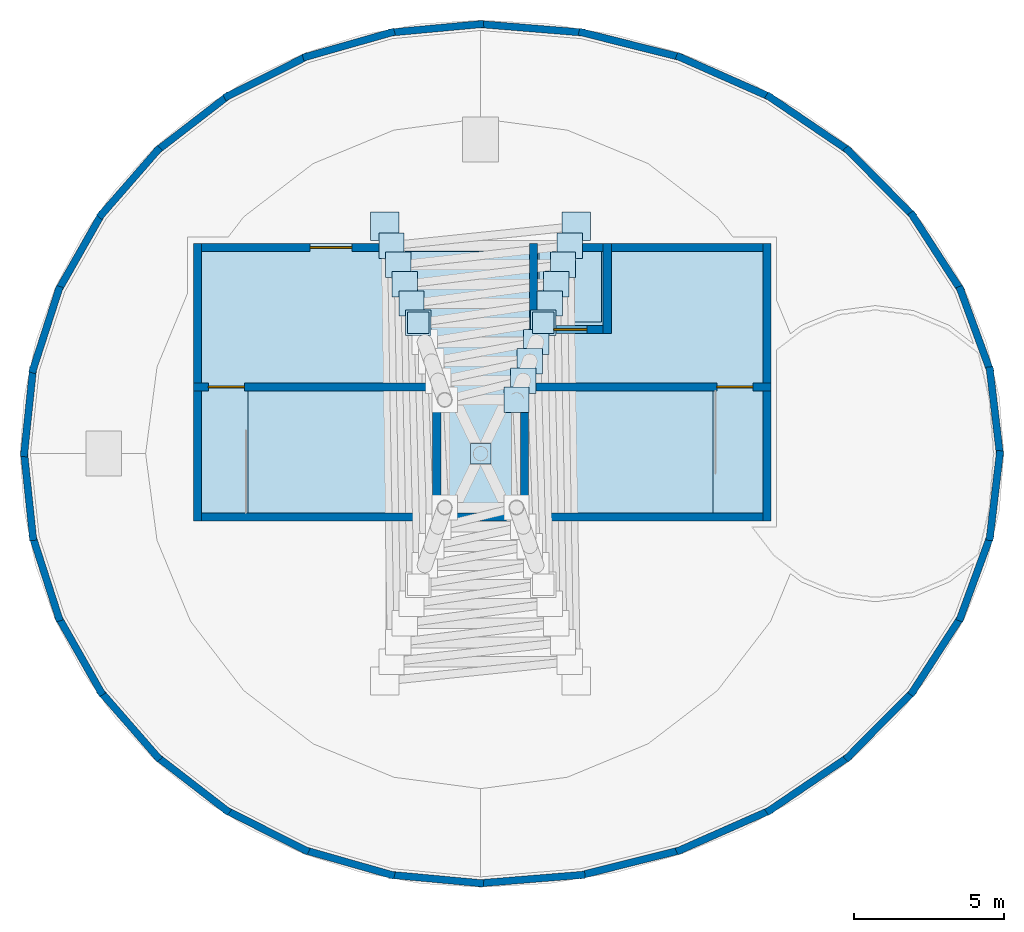
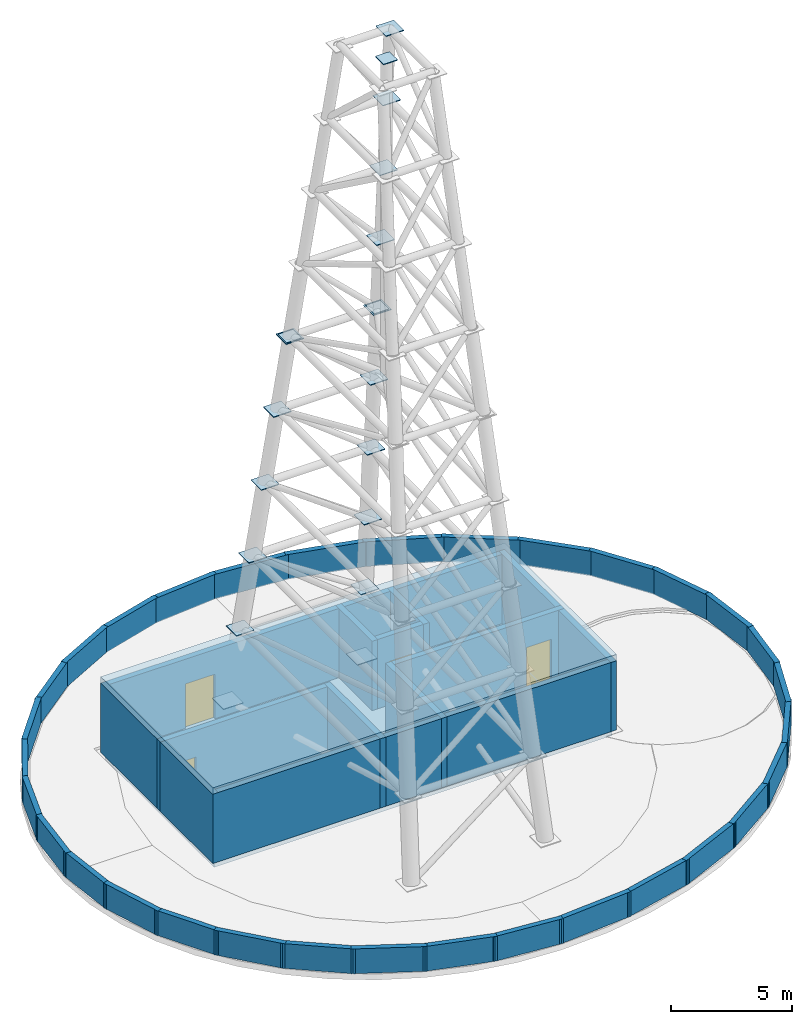
# One storey, part 3 of 4: 43 walls, 19 plates, 4 doors, 2 slabs, 4 openings.
"""IFC4 building model written with IfcOpenShell, lengths in metres."""

from ifc_helpers import new_model, si_unit, direction, frame, frame_2d, origin, origin_2d, place, context, subcontext, project, spatial, polyline, rectangle, outline, extrude, material, layer, layer_set, type_object, element, fill, save


model = new_model("IFC4")

# Units and contexts
model_context = context("Model", 3, precision=1e-05, world=origin(), true_north=direction((0.0, 1.0)))
body_context = subcontext(model_context, "Body", "Model", "MODEL_VIEW")
ifc_project = project(units=[si_unit("LENGTHUNIT", "METRE"), si_unit("AREAUNIT", "SQUARE_METRE"), si_unit("VOLUMEUNIT", "CUBIC_METRE"), si_unit("PLANEANGLEUNIT", "RADIAN"), si_unit("MASSUNIT", "GRAM", prefix="KILO")], contexts=[model_context])

# Site, building, storey
site_placement = place(None, origin())
site = spatial("IfcSite", under=ifc_project, at=site_placement, CompositionType="ELEMENT")
building_placement = place(site_placement, origin())
building = spatial("IfcBuilding", under=site, at=building_placement, Name="Lazwardi Medical Tower", CompositionType="ELEMENT")
storey_placement = place(building_placement, frame((0.0, 0.0, 316.0)))
storey = spatial("IfcBuildingStorey", under=building, at=storey_placement, Name="RF", CompositionType="ELEMENT", Elevation=316.0)

# Plates
ifc_material_1 = material(Name="Steel S460", Category="steel")
ifc_layer_1 = layer(ifc_material_1, 0.0400390625)
ifc_layer_set_1 = layer_set([ifc_layer_1], Name="Steel S460")
plate_type = type_object("IfcPlateType", Name="PLT-GUS-01", PredefinedType="USERDEFINED", material=ifc_layer_set_1)
for number, where, z_axis, x_axis, name in (
    (1, (39.199951171875, 35.60009765625, 0.0), (0.0, 0.0, 1.0), (1.0, 0.0, 0.0), "Broadcast Mast base plate GP-01 L3"),
    (2, (32.800048828125, 35.60009765625, 0.0), (0.0, 0.0, 1.0), (1.0, 0.0, 0.0), "Broadcast Mast base plate GP-01 L4"),
):
    element("IfcPlate", number, at=place(storey_placement, frame(where, z_axis=z_axis, x_axis=x_axis)), inside=storey, type_object=plate_type, Name=name, ObjectType="GUSSET_PLATE", PredefinedType="USERDEFINED", context=body_context, shape_type="SweptSolid", body=[
        extrude(rectangle(XDim=0.949951171875, YDim=0.949951171875, at=origin_2d()), origin(), (0.0, 0.0, 1.0), 0.0400390625),
    ])
for number, where, z_axis, x_axis, name in (
    (3, (38.977783203125, 34.95556640625, 3.97998046875), (0.0, 0.0, 1.0), (1.0, 0.0, 0.0), "Broadcast Mast cap plate GP-01 L3 B1"),
    (4, (33.022216796875, 34.95556640625, 3.97998046875), (0.0, 0.0, 1.0), (1.0, 0.0, 0.0), "Broadcast Mast cap plate GP-01 L4 B1"),
    (5, (38.755615234375, 34.31103515625, 7.97998046875), (0.0, 0.0, 1.0), (1.0, 0.0, 0.0), "Broadcast Mast cap plate GP-01 L3 B2"),
    (6, (33.244384765625, 34.31103515625, 7.97998046875), (0.0, 0.0, 1.0), (1.0, 0.0, 0.0), "Broadcast Mast cap plate GP-01 L4 B2"),
    (7, (38.533203125, 33.666748046875, 11.97998046875), (0.0, 0.0, 1.0), (1.0, 0.0, 0.0), "Broadcast Mast cap plate GP-01 L3 B3"),
    (8, (33.466796875, 33.666748046875, 11.97998046875), (0.0, 0.0, 1.0), (1.0, 0.0, 0.0), "Broadcast Mast cap plate GP-01 L4 B3"),
    (9, (38.31103515625, 33.022216796875, 15.97998046875), (0.0, 0.0, 1.0), (1.0, 0.0, 0.0), "Broadcast Mast cap plate GP-01 L3 B4"),
    (10, (33.68896484375, 33.022216796875, 15.97998046875), (0.0, 0.0, 1.0), (1.0, 0.0, 0.0), "Broadcast Mast cap plate GP-01 L4 B4"),
    (11, (38.0888671875, 32.377685546875, 19.97998046875), (0.0, 0.0, 1.0), (1.0, 0.0, 0.0), "Broadcast Mast cap plate GP-01 L3 B5"),
    (12, (33.9111328125, 32.377685546875, 19.97998046875), (0.0, 0.0, 1.0), (1.0, 0.0, 0.0), "Broadcast Mast cap plate GP-01 L4 B5"),
    (13, (37.86669921875, 31.7333984375, 23.97998046875), (0.0, 0.0, 1.0), (1.0, 0.0, 0.0), "Broadcast Mast cap plate GP-01 L3 B6"),
    (14, (37.644287109375, 31.0888671875, 27.97998046875), (0.0, 0.0, 1.0), (1.0, 0.0, 0.0), "Broadcast Mast cap plate GP-01 L3 B7"),
    (15, (37.422119140625, 30.4443359375, 31.97998046875), (0.0, 0.0, 1.0), (1.0, 0.0, 0.0), "Broadcast Mast cap plate GP-01 L3 B8"),
    (16, (37.199951171875, 29.800048828125, 35.9599609375), (0.0, 0.0, 1.0), (1.0, 0.0, 0.0), "Broadcast Mast cap plate GP-01 L3 B9"),
):
    element("IfcPlate", number, at=place(storey_placement, frame(where, z_axis=z_axis, x_axis=x_axis)), inside=storey, type_object=plate_type, Name=name, ObjectType="GUSSET_PLATE", PredefinedType="USERDEFINED", context=body_context, shape_type="SweptSolid", body=[
        extrude(rectangle(XDim=0.85009765625, YDim=0.85009765625, at=origin_2d()), origin(), (0.0, 0.0, 1.0), 0.0400390625),
    ])
for number, where, z_axis, x_axis, name in (
    (17, (38.0888671875, 32.377685546875, 19.97998046875), (0.0, 0.0, 1.0), (1.0, 0.0, 0.0), "Broadcast Mast diaphragm node plate GP-01 D3"),
    (18, (33.9111328125, 32.377685546875, 19.97998046875), (0.0, 0.0, 1.0), (1.0, 0.0, 0.0), "Broadcast Mast diaphragm node plate GP-01 D4"),
):
    element("IfcPlate", number, at=place(storey_placement, frame(where, z_axis=z_axis, x_axis=x_axis)), inside=storey, type_object=plate_type, Name=name, ObjectType="GUSSET_PLATE", PredefinedType="USERDEFINED", context=body_context, shape_type="SweptSolid", body=[
        extrude(rectangle(XDim=0.719970703125, YDim=0.719970703125, at=origin_2d()), origin(), (0.0, 0.0, 1.0), 0.0400390625),
    ])
plate_placement = place(storey_placement, frame((36.0, 28.0, 35.9599609375), z_axis=(0.0, 0.0, 1.0), x_axis=(1.0, 0.0, 0.0)))
element("IfcPlate", 19, at=plate_placement, inside=storey, type_object=plate_type, Name="Broadcast Mast top cap plate GP-01", ObjectType="GUSSET_PLATE", PredefinedType="USERDEFINED", context=body_context, shape_type="SweptSolid", body=[
    extrude(rectangle(XDim=0.679931640625, YDim=0.679931640625, at=origin_2d()), origin(), (0.0, 0.0, 1.0), 0.0400390625),
])

# Slabs
ifc_material_2 = material(Name="Concrete C50/60", Category="concrete")
ifc_layer_2 = layer(ifc_material_2, 0.320068359375)
ifc_layer_set_2 = layer_set([ifc_layer_2], Name="Concrete C50/60")
slab_type = type_object("IfcSlabType", Name="SLB-PLT-320", PredefinedType="FLOOR", material=ifc_layer_set_2)
slab_1_placement = place(storey_placement, frame((0.0, 0.0, -0.320068359375)))
element("IfcSlab", 20, at=slab_1_placement, inside=storey, type_object=slab_type, Name="Helipad transfer lobby structural floor slab SF-05 RF", PredefinedType="FLOOR", context=body_context, shape_type="SweptSolid", body=[
    extrude(outline(polyline([(26.530029296875, 25.885009765625), (45.570068359375, 25.885009765625), (45.570068359375, 34.89990234375), (26.530029296875, 34.89990234375), (26.530029296875, 25.885009765625)]), holes=[polyline([(28.22509765625, 26.02001953125), (28.22509765625, 30.10009765625), (34.39990234375, 30.10009765625), (34.39990234375, 26.02001953125), (28.22509765625, 26.02001953125)]), polyline([(37.60009765625, 26.02001953125), (37.60009765625, 30.10009765625), (43.77490234375, 30.10009765625), (43.77490234375, 26.02001953125), (37.60009765625, 26.02001953125)]), polyline([(37.949951171875, 32.39990234375), (37.949951171875, 34.800048828125), (40.050048828125, 34.800048828125), (40.050048828125, 32.39990234375), (37.949951171875, 32.39990234375)])]), origin(), (0.0, 0.0, 1.0), 0.320068359375),
])
slab_2_placement = place(storey_placement, frame((0.0, 0.0, 3.5)))
element("IfcSlab", 21, at=slab_2_placement, inside=storey, type_object=slab_type, Name="RF Headhouse Structural Enclosure Cap SF-05", PredefinedType="FLOOR", context=body_context, shape_type="SweptSolid", body=[
    extrude(outline(polyline([(26.39501953125, 25.75), (45.705078125, 25.75), (45.705078125, 35.034912109375), (26.39501953125, 35.034912109375), (26.39501953125, 25.75)])), origin(), (0.0, 0.0, 1.0), 0.320068359375),
])

# Walls
ifc_material_3 = material(Name="Precast concrete C45/55", Category="concrete")
ifc_layer_3 = layer(ifc_material_3, 0.239990234375)
ifc_layer_set_3 = layer_set([ifc_layer_3], Name="Precast concrete C45/55")
wall_type_1 = type_object("IfcWallType", Name="WL-PAR-240", PredefinedType="PARAPET", material=ifc_layer_set_3)
wall_1_placement = place(storey_placement, frame((35.900390625, 13.6318359375, 0.0), z_axis=(0.0, 0.0, 1.0), x_axis=(0.996696171963, 0.081220322543, 0.0)))
element("IfcWall", 22, at=wall_1_placement, inside=storey, type_object=wall_type_1, Name="RF Crown Roof Parapet 01", PredefinedType="PARAPET", context=body_context, shape_type="SweptSolid", body=[
    extrude(rectangle(XDim=3.59814453125, YDim=0.239990234375, at=frame_2d((1.799072265625, 0.0))), origin(), (0.0, 0.0, 1.0), 1.25),
])
wall_2_placement = place(storey_placement, frame((39.289794921875, 13.8916015625, 0.0), z_axis=(0.0, 0.0, 1.0), x_axis=(0.969940327102, 0.24334288948, 0.0)))
element("IfcWall", 23, at=wall_2_placement, inside=storey, type_object=wall_type_1, Name="RF Crown Roof Parapet 02", PredefinedType="PARAPET", context=body_context, shape_type="SweptSolid", body=[
    extrude(rectangle(XDim=3.5576171875, YDim=0.239990234375, at=frame_2d((1.77880859375, 0.0))), origin(), (0.0, 0.0, 1.0), 1.25),
])
wall_3_placement = place(storey_placement, frame((42.552001953125, 14.692626953125, 0.0), z_axis=(0.0, 0.0, 1.0), x_axis=(0.914576241407, 0.404413524321, 0.0)))
element("IfcWall", 24, at=wall_3_placement, inside=storey, type_object=wall_type_1, Name="RF Crown Roof Parapet 03", PredefinedType="PARAPET", context=body_context, shape_type="SweptSolid", body=[
    extrude(rectangle(XDim=3.4814453125, YDim=0.239990234375, at=frame_2d((1.74072265625, 0.0))), origin(), (0.0, 0.0, 1.0), 1.25),
])
wall_4_placement = place(storey_placement, frame((45.56201171875, 16.00390625, 0.0), z_axis=(0.0, 0.0, 1.0), x_axis=(0.827364275103, 0.561665697977, 0.0)))
element("IfcWall", 25, at=wall_4_placement, inside=storey, type_object=wall_type_1, Name="RF Crown Roof Parapet 04", PredefinedType="PARAPET", context=body_context, shape_type="SweptSolid", body=[
    extrude(rectangle(XDim=3.379638671875, YDim=0.239990234375, at=frame_2d((1.68994140625, 0.0))), origin(), (0.0, 0.0, 1.0), 1.25),
])
wall_5_placement = place(storey_placement, frame((48.205078125, 17.77490234375, 0.0), z_axis=(0.0, 0.0, 1.0), x_axis=(0.704259808089, 0.709942337595, 0.0)))
element("IfcWall", 26, at=wall_5_placement, inside=storey, type_object=wall_type_1, Name="RF Crown Roof Parapet 05", PredefinedType="PARAPET", context=body_context, shape_type="SweptSolid", body=[
    extrude(rectangle(XDim=3.26513671875, YDim=0.239990234375, at=frame_2d((1.632568359375, 0.0))), origin(), (0.0, 0.0, 1.0), 1.25),
])
wall_6_placement = place(storey_placement, frame((50.3798828125, 19.93798828125, 0.0), z_axis=(0.0, 0.0, 1.0), x_axis=(0.54275400683, 0.839891712109, 0.0)))
element("IfcWall", 27, at=wall_6_placement, inside=storey, type_object=wall_type_1, Name="RF Crown Roof Parapet 06", PredefinedType="PARAPET", context=body_context, shape_type="SweptSolid", body=[
    extrude(rectangle(XDim=3.156005859375, YDim=0.239990234375, at=frame_2d((1.578125, 0.0))), origin(), (0.0, 0.0, 1.0), 1.25),
])
wall_7_placement = place(storey_placement, frame((52.004150390625, 22.410888671875, 0.0), z_axis=(0.0, 0.0, 1.0), x_axis=(0.34427100999, 0.938870316753, 0.0)))
element("IfcWall", 28, at=wall_7_placement, inside=storey, type_object=wall_type_1, Name="RF Crown Roof Parapet 07", PredefinedType="PARAPET", context=body_context, shape_type="SweptSolid", body=[
    extrude(rectangle(XDim=3.069091796875, YDim=0.239990234375, at=frame_2d((1.53466796875, 0.0))), origin(), (0.0, 0.0, 1.0), 1.25),
])
for number, where, z_axis, x_axis, name in (
    (29, (53.0146484375, 25.09912109375, 0.0), (0.0, 0.0, 1.0), (0.118214786781, 0.99298804836, 0.0), "RF Crown Roof Parapet 08"),
    (30, (53.371826171875, 27.900634765625, 0.0), (0.0, 0.0, 1.0), (-0.118214786781, 0.99298804836, 0.0), "RF Crown Roof Parapet 09"),
):
    element("IfcWall", number, at=place(storey_placement, frame(where, z_axis=z_axis, x_axis=x_axis)), inside=storey, type_object=wall_type_1, Name=name, PredefinedType="PARAPET", context=body_context, shape_type="SweptSolid", body=[
        extrude(rectangle(XDim=3.021484375, YDim=0.239990234375, at=frame_2d((1.5107421875, 0.0))), origin(), (0.0, 0.0, 1.0), 1.25),
    ])
wall_8_placement = place(storey_placement, frame((53.060791015625, 30.70751953125, 0.0), z_axis=(0.0, 0.0, 1.0), x_axis=(-0.34427100999, 0.938870316753, 0.0)))
element("IfcWall", 31, at=wall_8_placement, inside=storey, type_object=wall_type_1, Name="RF Crown Roof Parapet 10", PredefinedType="PARAPET", context=body_context, shape_type="SweptSolid", body=[
    extrude(rectangle(XDim=3.069091796875, YDim=0.239990234375, at=frame_2d((1.53466796875, 0.0))), origin(), (0.0, 0.0, 1.0), 1.25),
])
wall_9_placement = place(storey_placement, frame((52.0927734375, 33.411376953125, 0.0), z_axis=(0.0, 0.0, 1.0), x_axis=(-0.54275400683, 0.839891712109, 0.0)))
element("IfcWall", 32, at=wall_9_placement, inside=storey, type_object=wall_type_1, Name="RF Crown Roof Parapet 11", PredefinedType="PARAPET", context=body_context, shape_type="SweptSolid", body=[
    extrude(rectangle(XDim=3.156005859375, YDim=0.239990234375, at=frame_2d((1.578125, 0.0))), origin(), (0.0, 0.0, 1.0), 1.25),
])
wall_10_placement = place(storey_placement, frame((50.504638671875, 35.906982421875, 0.0), z_axis=(0.0, 0.0, 1.0), x_axis=(-0.704259808089, 0.709942337595, 0.0)))
element("IfcWall", 33, at=wall_10_placement, inside=storey, type_object=wall_type_1, Name="RF Crown Roof Parapet 12", PredefinedType="PARAPET", context=body_context, shape_type="SweptSolid", body=[
    extrude(rectangle(XDim=3.26513671875, YDim=0.239990234375, at=frame_2d((1.632568359375, 0.0))), origin(), (0.0, 0.0, 1.0), 1.25),
])
wall_11_placement = place(storey_placement, frame((48.358154296875, 38.097900390625, 0.0), z_axis=(0.0, 0.0, 1.0), x_axis=(-0.827364275103, 0.561665697977, 0.0)))
element("IfcWall", 34, at=wall_11_placement, inside=storey, type_object=wall_type_1, Name="RF Crown Roof Parapet 13", PredefinedType="PARAPET", context=body_context, shape_type="SweptSolid", body=[
    extrude(rectangle(XDim=3.379638671875, YDim=0.239990234375, at=frame_2d((1.68994140625, 0.0))), origin(), (0.0, 0.0, 1.0), 1.25),
])
wall_12_placement = place(storey_placement, frame((45.736083984375, 39.8994140625, 0.0), z_axis=(0.0, 0.0, 1.0), x_axis=(-0.914576241407, 0.404413524321, 0.0)))
element("IfcWall", 35, at=wall_12_placement, inside=storey, type_object=wall_type_1, Name="RF Crown Roof Parapet 14", PredefinedType="PARAPET", context=body_context, shape_type="SweptSolid", body=[
    extrude(rectangle(XDim=3.4814453125, YDim=0.239990234375, at=frame_2d((1.74072265625, 0.0))), origin(), (0.0, 0.0, 1.0), 1.25),
])
wall_13_placement = place(storey_placement, frame((42.740478515625, 41.24267578125, 0.0), z_axis=(0.0, 0.0, 1.0), x_axis=(-0.969940327102, 0.24334288948, 0.0)))
element("IfcWall", 36, at=wall_13_placement, inside=storey, type_object=wall_type_1, Name="RF Crown Roof Parapet 15", PredefinedType="PARAPET", context=body_context, shape_type="SweptSolid", body=[
    extrude(rectangle(XDim=3.5576171875, YDim=0.239990234375, at=frame_2d((1.77880859375, 0.0))), origin(), (0.0, 0.0, 1.0), 1.25),
])
wall_14_placement = place(storey_placement, frame((39.486572265625, 42.075927734375, 0.0), z_axis=(0.0, 0.0, 1.0), x_axis=(-0.996696171963, 0.081220322543, 0.0)))
element("IfcWall", 37, at=wall_14_placement, inside=storey, type_object=wall_type_1, Name="RF Crown Roof Parapet 16", PredefinedType="PARAPET", context=body_context, shape_type="SweptSolid", body=[
    extrude(rectangle(XDim=3.59814453125, YDim=0.239990234375, at=frame_2d((1.799072265625, 0.0))), origin(), (0.0, 0.0, 1.0), 1.25),
])
wall_15_placement = place(storey_placement, frame((36.099609375, 42.369140625, 0.0), z_axis=(0.0, 0.0, 1.0), x_axis=(-0.995738071267, -0.092226316363, 0.0)))
element("IfcWall", 38, at=wall_15_placement, inside=storey, type_object=wall_type_1, Name="RF Crown Roof Parapet 17", PredefinedType="PARAPET", context=body_context, shape_type="SweptSolid", body=[
    extrude(rectangle(XDim=3.18994140625, YDim=0.239990234375, at=frame_2d((1.594970703125, 0.0))), origin(), (0.0, 0.0, 1.0), 1.25),
])
wall_16_placement = place(storey_placement, frame((33.119140625, 42.111572265625, 0.0), z_axis=(0.0, 0.0, 1.0), x_axis=(-0.961587719303, -0.274497828926, 0.0)))
element("IfcWall", 39, at=wall_16_placement, inside=storey, type_object=wall_type_1, Name="RF Crown Roof Parapet 18", PredefinedType="PARAPET", context=body_context, shape_type="SweptSolid", body=[
    extrude(rectangle(XDim=3.177001953125, YDim=0.239990234375, at=frame_2d((1.58837890625, 0.0))), origin(), (0.0, 0.0, 1.0), 1.25),
])
wall_17_placement = place(storey_placement, frame((30.24951171875, 41.311767578125, 0.0), z_axis=(0.0, 0.0, 1.0), x_axis=(-0.893371681941, -0.44931841483, 0.0)))
element("IfcWall", 40, at=wall_17_placement, inside=storey, type_object=wall_type_1, Name="RF Crown Roof Parapet 19", PredefinedType="PARAPET", context=body_context, shape_type="SweptSolid", body=[
    extrude(rectangle(XDim=3.153076171875, YDim=0.239990234375, at=frame_2d((1.57666015625, 0.0))), origin(), (0.0, 0.0, 1.0), 1.25),
])
wall_18_placement = place(storey_placement, frame((27.60107421875, 40.0009765625, 0.0), z_axis=(0.0, 0.0, 1.0), x_axis=(-0.791444943186, -0.611240461607, 0.0)))
element("IfcWall", 41, at=wall_18_placement, inside=storey, type_object=wall_type_1, Name="RF Crown Roof Parapet 20", PredefinedType="PARAPET", context=body_context, shape_type="SweptSolid", body=[
    extrude(rectangle(XDim=3.121337890625, YDim=0.239990234375, at=frame_2d((1.560546875, 0.0))), origin(), (0.0, 0.0, 1.0), 1.25),
])
wall_19_placement = place(storey_placement, frame((25.275390625, 38.2294921875, 0.0), z_axis=(0.0, 0.0, 1.0), x_axis=(-0.657266518378, -0.753658227461, 0.0)))
element("IfcWall", 42, at=wall_19_placement, inside=storey, type_object=wall_type_1, Name="RF Crown Roof Parapet 21", PredefinedType="PARAPET", context=body_context, shape_type="SweptSolid", body=[
    extrude(rectangle(XDim=3.08740234375, YDim=0.239990234375, at=frame_2d((1.543701171875, 0.0))), origin(), (0.0, 0.0, 1.0), 1.25),
])
wall_20_placement = place(storey_placement, frame((23.361083984375, 36.06494140625, 0.0), z_axis=(0.0, 0.0, 1.0), x_axis=(-0.493830922668, -0.86955794506, 0.0)))
element("IfcWall", 43, at=wall_20_placement, inside=storey, type_object=wall_type_1, Name="RF Crown Roof Parapet 22", PredefinedType="PARAPET", context=body_context, shape_type="SweptSolid", body=[
    extrude(rectangle(XDim=3.05517578125, YDim=0.239990234375, at=frame_2d((1.527587890625, 0.0))), origin(), (0.0, 0.0, 1.0), 1.25),
])
wall_21_placement = place(storey_placement, frame((21.932373046875, 33.590576171875, 0.0), z_axis=(0.0, 0.0, 1.0), x_axis=(-0.306859193003, -0.951754924164, 0.0)))
element("IfcWall", 44, at=wall_21_placement, inside=storey, type_object=wall_type_1, Name="RF Crown Roof Parapet 23", PredefinedType="PARAPET", context=body_context, shape_type="SweptSolid", body=[
    extrude(rectangle(XDim=3.030517578125, YDim=0.239990234375, at=frame_2d((1.51513671875, 0.0))), origin(), (0.0, 0.0, 1.0), 1.25),
])
for number, where, z_axis, x_axis, name in (
    (45, (21.043701171875, 30.90087890625, 0.0), (0.0, 0.0, 1.0), (-0.104149781086, -0.994561623581, 0.0), "RF Crown Roof Parapet 24"),
    (46, (20.7294921875, 28.099609375, 0.0), (0.0, 0.0, 1.0), (0.104149781086, -0.994561623581, 0.0), "RF Crown Roof Parapet 25"),
):
    element("IfcWall", number, at=place(storey_placement, frame(where, z_axis=z_axis, x_axis=x_axis)), inside=storey, type_object=wall_type_1, Name=name, PredefinedType="PARAPET", context=body_context, shape_type="SweptSolid", body=[
        extrude(rectangle(XDim=3.016845703125, YDim=0.239990234375, at=frame_2d((1.50830078125, 0.0))), origin(), (0.0, 0.0, 1.0), 1.25),
    ])
wall_22_placement = place(storey_placement, frame((21.00244140625, 25.293701171875, 0.0), z_axis=(0.0, 0.0, 1.0), x_axis=(0.306859193003, -0.951754924164, 0.0)))
element("IfcWall", 47, at=wall_22_placement, inside=storey, type_object=wall_type_1, Name="RF Crown Roof Parapet 26", PredefinedType="PARAPET", context=body_context, shape_type="SweptSolid", body=[
    extrude(rectangle(XDim=3.030517578125, YDim=0.239990234375, at=frame_2d((1.51513671875, 0.0))), origin(), (0.0, 0.0, 1.0), 1.25),
])
wall_23_placement = place(storey_placement, frame((21.852294921875, 22.591796875, 0.0), z_axis=(0.0, 0.0, 1.0), x_axis=(0.493830922668, -0.86955794506, 0.0)))
element("IfcWall", 48, at=wall_23_placement, inside=storey, type_object=wall_type_1, Name="RF Crown Roof Parapet 27", PredefinedType="PARAPET", context=body_context, shape_type="SweptSolid", body=[
    extrude(rectangle(XDim=3.05517578125, YDim=0.239990234375, at=frame_2d((1.527587890625, 0.0))), origin(), (0.0, 0.0, 1.0), 1.25),
])
wall_24_placement = place(storey_placement, frame((23.24609375, 20.097412109375, 0.0), z_axis=(0.0, 0.0, 1.0), x_axis=(0.657266518378, -0.753658227461, 0.0)))
element("IfcWall", 49, at=wall_24_placement, inside=storey, type_object=wall_type_1, Name="RF Crown Roof Parapet 28", PredefinedType="PARAPET", context=body_context, shape_type="SweptSolid", body=[
    extrude(rectangle(XDim=3.08740234375, YDim=0.239990234375, at=frame_2d((1.543701171875, 0.0))), origin(), (0.0, 0.0, 1.0), 1.25),
])
wall_25_placement = place(storey_placement, frame((25.130615234375, 17.906982421875, 0.0), z_axis=(0.0, 0.0, 1.0), x_axis=(0.791444943186, -0.611240461607, 0.0)))
element("IfcWall", 50, at=wall_25_placement, inside=storey, type_object=wall_type_1, Name="RF Crown Roof Parapet 29", PredefinedType="PARAPET", context=body_context, shape_type="SweptSolid", body=[
    extrude(rectangle(XDim=3.121337890625, YDim=0.239990234375, at=frame_2d((1.560546875, 0.0))), origin(), (0.0, 0.0, 1.0), 1.25),
])
wall_26_placement = place(storey_placement, frame((27.4326171875, 16.10498046875, 0.0), z_axis=(0.0, 0.0, 1.0), x_axis=(0.893371681941, -0.44931841483, 0.0)))
element("IfcWall", 51, at=wall_26_placement, inside=storey, type_object=wall_type_1, Name="RF Crown Roof Parapet 30", PredefinedType="PARAPET", context=body_context, shape_type="SweptSolid", body=[
    extrude(rectangle(XDim=3.153076171875, YDim=0.239990234375, at=frame_2d((1.57666015625, 0.0))), origin(), (0.0, 0.0, 1.0), 1.25),
])
wall_27_placement = place(storey_placement, frame((30.064208984375, 14.760498046875, 0.0), z_axis=(0.0, 0.0, 1.0), x_axis=(0.961587719303, -0.274497828926, 0.0)))
element("IfcWall", 52, at=wall_27_placement, inside=storey, type_object=wall_type_1, Name="RF Crown Roof Parapet 31", PredefinedType="PARAPET", context=body_context, shape_type="SweptSolid", body=[
    extrude(rectangle(XDim=3.177001953125, YDim=0.239990234375, at=frame_2d((1.58837890625, 0.0))), origin(), (0.0, 0.0, 1.0), 1.25),
])
wall_28_placement = place(storey_placement, frame((32.92333984375, 13.925048828125, 0.0), z_axis=(0.0, 0.0, 1.0), x_axis=(0.995738071267, -0.092226316363, 0.0)))
element("IfcWall", 53, at=wall_28_placement, inside=storey, type_object=wall_type_1, Name="RF Crown Roof Parapet 32", PredefinedType="PARAPET", context=body_context, shape_type="SweptSolid", body=[
    extrude(rectangle(XDim=3.18994140625, YDim=0.239990234375, at=frame_2d((1.594970703125, 0.0))), origin(), (0.0, 0.0, 1.0), 1.25),
])
ifc_layer_4 = layer(ifc_material_2, 0.27001953125)
ifc_layer_set_4 = layer_set([ifc_layer_4], Name="Concrete C50/60")
wall_type_2 = type_object("IfcWallType", Name="WL-STR-250", PredefinedType="SHEAR", material=ifc_layer_set_4)
wall_29_placement = place(storey_placement, frame((26.530029296875, 25.75, 0.0), z_axis=(0.0, 0.0, 1.0), x_axis=(0.0, 1.0, 0.0)))
element("IfcWall", 54, at=wall_29_placement, inside=storey, type_object=wall_type_2, Name="RF Headhouse West structural wall SW-S1", PredefinedType="SHEAR", context=body_context, shape_type="SweptSolid", body=[
    extrude(rectangle(XDim=9.284912109375, YDim=0.27001953125, at=frame_2d((4.642578125, 0.0))), origin(), (0.0, 0.0, 1.0), 3.5),
])

# Wall, opening, door
wall_30_placement = place(storey_placement, frame((26.39501953125, 34.89990234375, 0.0), z_axis=(0.0, 0.0, 1.0), x_axis=(1.0, 0.0, 0.0)))
wall_30 = element("IfcWall", 55, at=wall_30_placement, inside=storey, type_object=wall_type_2, Name="RF Helipad Transfer Lobby North exterior wall SW-S1", PredefinedType="SHEAR", context=body_context, shape_type="SweptSolid", body=[
    extrude(rectangle(XDim=19.31005859375, YDim=0.27001953125, at=frame_2d((9.655029296875, 0.0))), origin(), (0.0, 0.0, 1.0), 3.5),
])
opening_1_placement = place(wall_30_placement, frame((3.905029296875, 0.0, 0.0)))
opening_1 = element("IfcOpeningElement", 56, at=opening_1_placement, cuts=wall_30, Name="Opening D-RF-001", PredefinedType="OPENING", context=body_context, shape_type="SweptSolid", body=[
    extrude(rectangle(XDim=1.39990234375, YDim=2.25, at=frame_2d((0.699951171875, 1.125))), frame((0.0, 0.14501953125, 0.0), z_axis=(0.0, -1.0, 0.0), x_axis=(1.0, 0.0, 0.0)), (0.0, 0.0, 1.0), 0.2900390625),
])
ifc_material_4 = material(Name="Anodised bronze aluminium and laminated glass", Category="aluminium")
door_type_1 = type_object("IfcDoorType", Name="DR-EXT-1400", OperationType="NOTDEFINED", PredefinedType="DOOR", material=ifc_material_4)
door_1_placement = place(opening_1_placement, origin())
door_1 = element("IfcDoor", 57, at=door_1_placement, inside=storey, type_object=door_type_1, Name="RF Helipad Terrace Exit Door", OperationType="SINGLE_SWING_LEFT", OverallHeight=2.25, OverallWidth=1.39990234375, PredefinedType="DOOR", context=body_context, shape_type="SweptSolid", body=[
    extrude(rectangle(XDim=1.39990234375, YDim=2.25, at=frame_2d((0.699951171875, 1.125))), frame((0.0, 0.02490234375, 0.0), z_axis=(0.0, -1.0, 0.0), x_axis=(1.0, 0.0, 0.0)), (0.0, 0.0, 1.0), 0.050048828125),
])
fill(opening_1, door_1)

# Walls
wall_31_placement = place(storey_placement, frame((45.570068359375, 35.034912109375, 0.0), z_axis=(0.0, 0.0, 1.0), x_axis=(0.0, -1.0, 0.0)))
element("IfcWall", 58, at=wall_31_placement, inside=storey, type_object=wall_type_2, Name="RF Headhouse East structural wall SW-S1", PredefinedType="SHEAR", context=body_context, shape_type="SweptSolid", body=[
    extrude(rectangle(XDim=9.284912109375, YDim=0.27001953125, at=frame_2d((4.642578125, 0.0))), origin(), (0.0, 0.0, 1.0), 3.5),
])
wall_32_placement = place(storey_placement, frame((45.705078125, 25.885009765625, 0.0), z_axis=(0.0, 0.0, 1.0), x_axis=(-1.0, 0.0, 0.0)))
element("IfcWall", 59, at=wall_32_placement, inside=storey, type_object=wall_type_2, Name="RF Headhouse South structural wall SW-S1", PredefinedType="SHEAR", context=body_context, shape_type="SweptSolid", body=[
    extrude(rectangle(XDim=19.31005859375, YDim=0.27001953125, at=frame_2d((9.655029296875, 0.0))), origin(), (0.0, 0.0, 1.0), 3.5),
])

# Wall, opening, door
wall_33_placement = place(storey_placement, frame((26.39501953125, 30.235107421875, 0.0), z_axis=(0.0, 0.0, 1.0), x_axis=(1.0, 0.0, 0.0)))
wall_33 = element("IfcWall", 60, at=wall_33_placement, inside=storey, type_object=wall_type_2, Name="RF ST1 North interior shaft wall SW-S1", PredefinedType="SHEAR", context=body_context, shape_type="SweptSolid", body=[
    extrude(rectangle(XDim=8.27490234375, YDim=0.27001953125, at=frame_2d((4.137451171875, 0.0))), origin(), (0.0, 0.0, 1.0), 3.5),
])
opening_2_placement = place(wall_33_placement, frame((0.5048828125, 0.0, 0.0)))
opening_2 = element("IfcOpeningElement", 61, at=opening_2_placement, cuts=wall_33, Name="Opening D-RF-002", PredefinedType="OPENING", context=body_context, shape_type="SweptSolid", body=[
    extrude(rectangle(XDim=1.199951171875, YDim=2.14990234375, at=frame_2d((0.60009765625, 1.074951171875))), frame((0.0, 0.14501953125, 0.0), z_axis=(0.0, -1.0, 0.0), x_axis=(1.0, 0.0, 0.0)), (0.0, 0.0, 1.0), 0.2900390625),
])
ifc_material_5 = material(Name="Fire-rated steel leaf and frame", Category="steel")
door_type_2 = type_object("IfcDoorType", Name="DR-STR-1200", OperationType="NOTDEFINED", PredefinedType="DOOR", material=ifc_material_5)
door_2_placement = place(opening_2_placement, origin())
door_2 = element("IfcDoor", 62, at=door_2_placement, inside=storey, type_object=door_type_2, Name="RF Exit Stair ST1 Door", OperationType="SINGLE_SWING_LEFT", OverallHeight=2.14990234375, OverallWidth=1.199951171875, PredefinedType="DOOR", context=body_context, shape_type="SweptSolid", body=[
    extrude(rectangle(XDim=1.199951171875, YDim=2.14990234375, at=frame_2d((0.60009765625, 1.074951171875))), frame((0.0, 0.02490234375, 0.0), z_axis=(0.0, -1.0, 0.0), x_axis=(1.0, 0.0, 0.0)), (0.0, 0.0, 1.0), 0.050048828125),
])
fill(opening_2, door_2)

# Walls
for number, where, z_axis, x_axis, name in (
    (63, (34.534912109375, 30.3701171875, 0.0), (0.0, 0.0, 1.0), (0.0, -1.0, 0.0), "RF ST1 East interior shaft wall SW-S1"),
    (64, (37.465087890625, 25.75, 0.0), (0.0, 0.0, 1.0), (0.0, 1.0, 0.0), "RF ST2 West interior shaft wall SW-S1"),
):
    element("IfcWall", number, at=place(storey_placement, frame(where, z_axis=z_axis, x_axis=x_axis)), inside=storey, type_object=wall_type_2, Name=name, PredefinedType="SHEAR", context=body_context, shape_type="SweptSolid", body=[
        extrude(rectangle(XDim=4.6201171875, YDim=0.27001953125, at=frame_2d((2.31005859375, 0.0))), origin(), (0.0, 0.0, 1.0), 3.5),
    ])

# Wall, opening, door
wall_34_placement = place(storey_placement, frame((37.330078125, 30.235107421875, 0.0), z_axis=(0.0, 0.0, 1.0), x_axis=(1.0, 0.0, 0.0)))
wall_34 = element("IfcWall", 65, at=wall_34_placement, inside=storey, type_object=wall_type_2, Name="RF ST2 North interior shaft wall SW-S1", PredefinedType="SHEAR", context=body_context, shape_type="SweptSolid", body=[
    extrude(rectangle(XDim=8.375, YDim=0.27001953125, at=frame_2d((4.1875, 0.0))), origin(), (0.0, 0.0, 1.0), 3.5),
])
opening_3_placement = place(wall_34_placement, frame((6.570068359375, 0.0, 0.0)))
opening_3 = element("IfcOpeningElement", 66, at=opening_3_placement, cuts=wall_34, Name="Opening D-RF-003", PredefinedType="OPENING", context=body_context, shape_type="SweptSolid", body=[
    extrude(rectangle(XDim=1.199951171875, YDim=2.14990234375, at=frame_2d((0.60009765625, 1.074951171875))), frame((0.0, 0.14501953125, 0.0), z_axis=(0.0, -1.0, 0.0), x_axis=(1.0, 0.0, 0.0)), (0.0, 0.0, 1.0), 0.2900390625),
])
door_3_placement = place(opening_3_placement, origin())
door_3 = element("IfcDoor", 67, at=door_3_placement, inside=storey, type_object=door_type_2, Name="RF Exit Stair ST2 Door", OperationType="SINGLE_SWING_RIGHT", OverallHeight=2.14990234375, OverallWidth=1.199951171875, PredefinedType="DOOR", context=body_context, shape_type="SweptSolid", body=[
    extrude(rectangle(XDim=1.199951171875, YDim=2.14990234375, at=frame_2d((0.60009765625, 1.074951171875))), frame((0.0, 0.02490234375, 0.0), z_axis=(0.0, -1.0, 0.0), x_axis=(1.0, 0.0, 0.0)), (0.0, 0.0, 1.0), 0.050048828125),
])
fill(opening_3, door_3)

# Walls
for number, where, z_axis, x_axis, name in (
    (68, (37.764892578125, 32.014892578125, 0.0), (0.0, 0.0, 1.0), (0.0, 1.0, 0.0), "RF Lift PL-09 West shaft wall SW-S1"),
    (69, (40.235107421875, 32.014892578125, 0.0), (0.0, 0.0, 1.0), (0.0, 1.0, 0.0), "RF Lift PL-09 East shaft wall SW-S1"),
):
    element("IfcWall", number, at=place(storey_placement, frame(where, z_axis=z_axis, x_axis=x_axis)), inside=storey, type_object=wall_type_2, Name=name, PredefinedType="SHEAR", context=body_context, shape_type="SweptSolid", body=[
        extrude(rectangle(XDim=3.02001953125, YDim=0.27001953125, at=frame_2d((1.510009765625, 0.0))), origin(), (0.0, 0.0, 1.0), 3.5),
    ])

# Wall, opening, door
wall_35_placement = place(storey_placement, frame((37.6298828125, 32.14990234375, 0.0), z_axis=(0.0, 0.0, 1.0), x_axis=(1.0, 0.0, 0.0)))
wall_35 = element("IfcWall", 70, at=wall_35_placement, inside=storey, type_object=wall_type_2, Name="RF Lift PL-09 South landing wall SW-S1", PredefinedType="SHEAR", context=body_context, shape_type="SweptSolid", body=[
    extrude(rectangle(XDim=2.740234375, YDim=0.27001953125, at=frame_2d((1.3701171875, 0.0))), origin(), (0.0, 0.0, 1.0), 3.5),
])
opening_4_placement = place(wall_35_placement, frame((0.820068359375, 0.0, 0.0)))
opening_4 = element("IfcOpeningElement", 71, at=opening_4_placement, cuts=wall_35, Name="Opening LD-RF-001", PredefinedType="OPENING", context=body_context, shape_type="SweptSolid", body=[
    extrude(rectangle(XDim=1.10009765625, YDim=2.199951171875, at=frame_2d((0.550048828125, 1.10009765625))), frame((0.0, 0.14501953125, 0.0), z_axis=(0.0, -1.0, 0.0), x_axis=(1.0, 0.0, 0.0)), (0.0, 0.0, 1.0), 0.2900390625),
])
ifc_material_6 = material(Name="Brushed bronze stainless steel landing door", Category="steel")
door_type_3 = type_object("IfcDoorType", Name="DR-LFT-1100", OperationType="NOTDEFINED", PredefinedType="DOOR", material=ifc_material_6)
door_4_placement = place(opening_4_placement, origin())
door_4 = element("IfcDoor", 72, at=door_4_placement, inside=storey, type_object=door_type_3, Name="RF Lift Landing Door PL-09", OperationType="SLIDING_TO_LEFT", OverallHeight=2.199951171875, OverallWidth=1.10009765625, PredefinedType="DOOR", context=body_context, shape_type="SweptSolid", body=[
    extrude(rectangle(XDim=1.10009765625, YDim=2.199951171875, at=frame_2d((0.550048828125, 1.10009765625))), frame((0.0, 0.02490234375, 0.0), z_axis=(0.0, -1.0, 0.0), x_axis=(1.0, 0.0, 0.0)), (0.0, 0.0, 1.0), 0.050048828125),
])
fill(opening_4, door_4)

save(model, "model.ifc")
